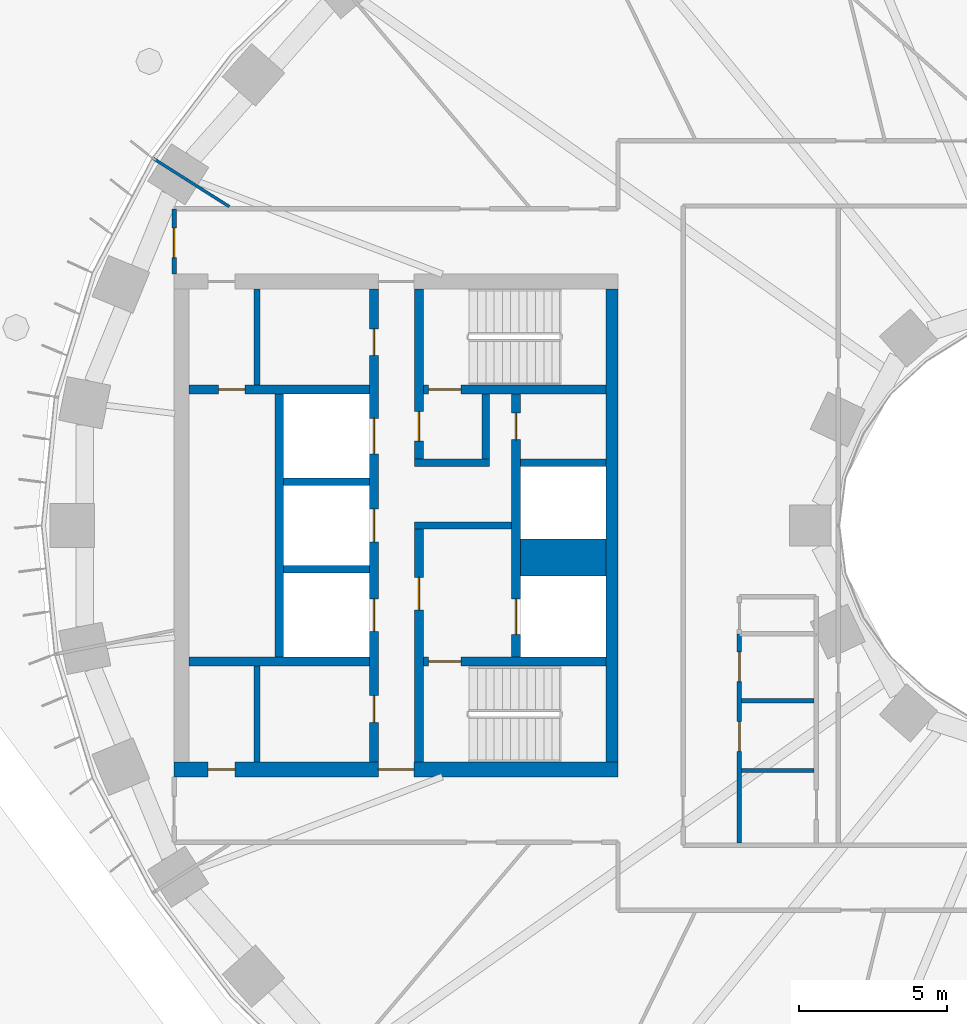
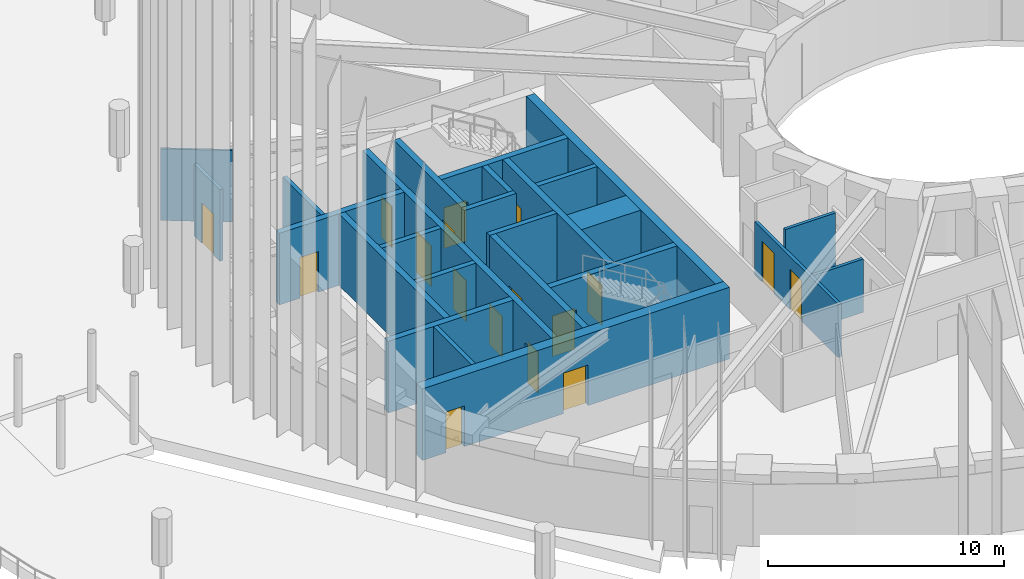
# One storey, part 12 of 30: 25 walls, 17 doors, 17 openings.
"""IFC4 building model written with IfcOpenShell, lengths in metres."""

from ifc_helpers import new_model, si_unit, direction, frame, frame_2d, origin, place, context, subcontext, project, spatial, rectangle, extrude, material, layer, layer_set, type_object, element, fill, save


model = new_model("IFC4")

# Units and contexts
model_context = context("Model", 3, precision=1e-05, world=origin(), true_north=direction((0.0, 1.0)))
body_context = subcontext(model_context, "Body", "Model", "MODEL_VIEW")
ifc_project = project(units=[si_unit("LENGTHUNIT", "METRE"), si_unit("AREAUNIT", "SQUARE_METRE"), si_unit("VOLUMEUNIT", "CUBIC_METRE"), si_unit("PLANEANGLEUNIT", "RADIAN"), si_unit("MASSUNIT", "GRAM", prefix="KILO")], contexts=[model_context])

# Site, building, storey
site_placement = place(None, origin())
site = spatial("IfcSite", under=ifc_project, at=site_placement, CompositionType="ELEMENT")
building_placement = place(site_placement, origin())
building = spatial("IfcBuilding", under=site, at=building_placement, Name="Noorbagh Ring Tower", CompositionType="ELEMENT")
storey_placement = place(building_placement, frame((0.0, 0.0, 30.5)))
storey = spatial("IfcBuildingStorey", under=building, at=storey_placement, Name="L05", CompositionType="ELEMENT", Elevation=30.5)

# Walls
ifc_material_1 = material(Name="Gypsum board on steel studs", Category="steel")
ifc_layer_1 = layer(ifc_material_1, 0.199951171875)
ifc_layer_set_1 = layer_set([ifc_layer_1], Name="Gypsum board on steel studs")
wall_type_1 = type_object("IfcWallType", Name="CORE-PARTITION-200", PredefinedType="PARTITIONING", material=ifc_layer_set_1)
for number, where, z_axis, x_axis, name in (
    (1, (-28.699951171875, 4.75, 0.0), (0.0, 0.0, 1.0), (0.0, 1.0, 0.0), "Core partition W"),
    (2, (-28.699951171875, -8.0, 0.0), (0.0, 0.0, 1.0), (0.0, 1.0, 0.0), "Core partition W"),
):
    element("IfcWall", number, at=place(storey_placement, frame(where, z_axis=z_axis, x_axis=x_axis)), inside=storey, type_object=wall_type_1, Name=name, PredefinedType="PARTITIONING", context=body_context, shape_type="SweptSolid", body=[
        extrude(rectangle(XDim=3.25, YDim=0.199951171875, at=frame_2d((1.625, 0.0))), origin(), (0.0, 0.0, 1.0), 3.699951171875),
    ])
ifc_material_2 = material(Name="Concrete C70/85", Category="concrete")
ifc_layer_2 = layer(ifc_material_2, 1.25)
ifc_layer_set_2 = layer_set([ifc_layer_2], Name="Concrete C70/85")
wall_type_2 = type_object("IfcWallType", Name="CORE-WALL-1250-C70-85-EI120", PredefinedType="SHEAR", material=ifc_layer_set_2)
wall_1_placement = place(storey_placement, frame((-16.89990234375, -1.074951171875, 0.0), z_axis=(0.0, 0.0, 1.0), x_axis=(-1.0, 0.0, 0.0)))
element("IfcWall", 3, at=wall_1_placement, inside=storey, type_object=wall_type_2, Name="Core wall W", PredefinedType="SHEAR", context=body_context, shape_type="SweptSolid", body=[
    extrude(rectangle(XDim=2.900146484375, YDim=1.25, at=frame_2d((1.4501953125, 0.0))), origin(), (0.0, 0.0, 1.0), 3.699951171875),
])
ifc_material_3 = material(Name="Concrete C70/85", Category="concrete")
ifc_layer_3 = layer(ifc_material_3, 0.25)
ifc_layer_set_3 = layer_set([ifc_layer_3], Name="Concrete C70/85")
wall_type_3 = type_object("IfcWallType", Name="CORE-WALL-250-C70-85-EI120", PredefinedType="SHEAR", material=ifc_layer_set_3)
for number, where, z_axis, x_axis, name in (
    (4, (-16.89990234375, 2.125, 0.0), (0.0, 0.0, 1.0), (-1.0, 0.0, 0.0), "Core wall W"),
    (5, (-24.89990234375, -1.47509765625, 0.0), (0.0, 0.0, 1.0), (-1.0, 0.0, 0.0), "Core wall W"),
    (6, (-24.89990234375, 1.47509765625, 0.0), (0.0, 0.0, 1.0), (-1.0, 0.0, 0.0), "Core wall W"),
):
    element("IfcWall", number, at=place(storey_placement, frame(where, z_axis=z_axis, x_axis=x_axis)), inside=storey, type_object=wall_type_3, Name=name, PredefinedType="SHEAR", context=body_context, shape_type="SweptSolid", body=[
        extrude(rectangle(XDim=2.900146484375, YDim=0.25, at=frame_2d((1.4501953125, 0.0))), origin(), (0.0, 0.0, 1.0), 3.699951171875),
    ])
ifc_material_4 = material(Name="Concrete C70/85", Category="concrete")
ifc_layer_4 = layer(ifc_material_4, 0.25)
ifc_layer_set_4 = layer_set([ifc_layer_4], Name="Concrete C70/85")
wall_type_4 = type_object("IfcWallType", Name="CORE-WALL-250-C70-85-EI240", PredefinedType="SHEAR", material=ifc_layer_set_4)
wall_2_placement = place(storey_placement, frame((-20.10009765625, 0.0, 0.0), z_axis=(0.0, 0.0, 1.0), x_axis=(-1.0, 0.0, 0.0)))
element("IfcWall", 7, at=wall_2_placement, inside=storey, type_object=wall_type_4, Name="Core wall W", PredefinedType="SHEAR", context=body_context, shape_type="SweptSolid", body=[
    extrude(rectangle(XDim=3.27978515625, YDim=0.25, at=frame_2d((1.639892578125, 0.0))), origin(), (0.0, 0.0, 1.0), 3.699951171875),
])
wall_3_placement = place(storey_placement, frame((-20.85009765625, 2.125, 0.0), z_axis=(0.0, 0.0, 1.0), x_axis=(-1.0, 0.0, 0.0)))
element("IfcWall", 8, at=wall_3_placement, inside=storey, type_object=wall_type_4, Name="Core wall W", PredefinedType="SHEAR", context=body_context, shape_type="SweptSolid", body=[
    extrude(rectangle(XDim=2.52978515625, YDim=0.25, at=frame_2d((1.264892578125, 0.0))), origin(), (0.0, 0.0, 1.0), 3.699951171875),
])
wall_4_placement = place(storey_placement, frame((-20.97509765625, 2.25, 0.0), z_axis=(0.0, 0.0, 1.0), x_axis=(0.0, 1.0, 0.0)))
element("IfcWall", 9, at=wall_4_placement, inside=storey, type_object=wall_type_4, Name="Core wall W", PredefinedType="SHEAR", context=body_context, shape_type="SweptSolid", body=[
    extrude(rectangle(XDim=2.199951171875, YDim=0.25, at=frame_2d((1.10009765625, 0.0))), origin(), (0.0, 0.0, 1.0), 3.699951171875),
])
ifc_material_5 = material(Name="Concrete C70/85", Category="concrete")
ifc_layer_5 = layer(ifc_material_5, 0.300048828125)
ifc_layer_set_5 = layer_set([ifc_layer_5], Name="Concrete C70/85")
wall_type_5 = type_object("IfcWallType", Name="CORE-WALL-300-C70-85-EI120", PredefinedType="SHEAR", material=ifc_layer_set_5)
wall_5_placement = place(storey_placement, frame((-27.949951171875, -4.449951171875, 0.0), z_axis=(0.0, 0.0, 1.0), x_axis=(0.0, 1.0, 0.0)))
element("IfcWall", 10, at=wall_5_placement, inside=storey, type_object=wall_type_5, Name="Core wall W", PredefinedType="SHEAR", context=body_context, shape_type="SweptSolid", body=[
    extrude(rectangle(XDim=8.89990234375, YDim=0.300048828125, at=frame_2d((4.449951171875, 0.0))), origin(), (0.0, 0.0, 1.0), 3.699951171875),
])

# Wall, openings, doors
wall_6_placement = place(storey_placement, frame((-19.949951171875, -4.449951171875, 0.0), z_axis=(0.0, 0.0, 1.0), x_axis=(0.0, 1.0, 0.0)))
wall_6 = element("IfcWall", 11, at=wall_6_placement, inside=storey, type_object=wall_type_5, Name="Core wall W", PredefinedType="SHEAR", context=body_context, shape_type="SweptSolid", body=[
    extrude(rectangle(XDim=8.89990234375, YDim=0.300048828125, at=frame_2d((4.449951171875, 0.0))), origin(), (0.0, 0.0, 1.0), 3.699951171875),
])
opening_1_placement = place(wall_6_placement, frame((0.77490234375, 0.0, 0.0)))
opening_1 = element("IfcOpeningElement", 12, at=opening_1_placement, cuts=wall_6, Name="Opening L05-CW01", PredefinedType="OPENING", context=body_context, shape_type="SweptSolid", body=[
    extrude(rectangle(XDim=1.199951171875, YDim=2.10009765625, at=frame_2d((0.60009765625, 1.050048828125))), frame((0.0, 0.16015625, 0.0), z_axis=(0.0, -1.0, 0.0), x_axis=(1.0, 0.0, 0.0)), (0.0, 0.0, 1.0), 0.320068359375),
])
opening_2_placement = place(wall_6_placement, frame((7.35009765625, 0.0, 0.0)))
opening_2 = element("IfcOpeningElement", 13, at=opening_2_placement, cuts=wall_6, Name="Opening L05-CW11", PredefinedType="OPENING", context=body_context, shape_type="SweptSolid", body=[
    extrude(rectangle(XDim=0.89990234375, YDim=2.10009765625, at=frame_2d((0.449951171875, 1.050048828125))), frame((0.0, 0.16015625, 0.0), z_axis=(0.0, -1.0, 0.0), x_axis=(1.0, 0.0, 0.0)), (0.0, 0.0, 1.0), 0.320068359375),
])
ifc_material_6 = material(Name="Steel door leaf", Category="steel")
door_type_1 = type_object("IfcDoorType", Name="CORE-DOOR-DROOM", OperationType="SINGLE_SWING_LEFT", PredefinedType="DOOR", material=ifc_material_6)
door_1_placement = place(opening_2_placement, origin())
door_1 = element("IfcDoor", 14, at=door_1_placement, inside=storey, type_object=door_type_1, Name="Core room door L05-CW11", OperationType="SINGLE_SWING_LEFT", OverallHeight=2.10009765625, OverallWidth=0.89990234375, PredefinedType="DOOR", context=body_context, shape_type="SweptSolid", body=[
    extrude(rectangle(XDim=0.89990234375, YDim=2.10009765625, at=frame_2d((0.449951171875, 1.050048828125))), frame((0.0, 0.02490234375, 0.0), z_axis=(0.0, -1.0, 0.0), x_axis=(1.0, 0.0, 0.0)), (0.0, 0.0, 1.0), 0.050048828125),
])
fill(opening_2, door_1)
ifc_material_7 = material(Name="Steel door leaf", Category="steel")
door_type_2 = type_object("IfcDoorType", Name="CORE-DOOR-LDW", OperationType="DOUBLE_DOOR_SLIDING", PredefinedType="DOOR", material=ifc_material_7)
door_2_placement = place(opening_1_placement, origin())
door_2 = element("IfcDoor", 15, at=door_2_placement, inside=storey, type_object=door_type_2, Name="Landing door FF1 L05-CW01", OperationType="DOUBLE_DOOR_SLIDING", OverallHeight=2.10009765625, OverallWidth=1.199951171875, PredefinedType="DOOR", context=body_context, shape_type="SweptSolid", body=[
    extrude(rectangle(XDim=1.199951171875, YDim=2.10009765625, at=frame_2d((0.60009765625, 1.050048828125))), frame((0.0, 0.02490234375, 0.0), z_axis=(0.0, -1.0, 0.0), x_axis=(1.0, 0.0, 0.0)), (0.0, 0.0, 1.0), 0.050048828125),
])
fill(opening_1, door_2)

wall_7_placement = place(storey_placement, frame((-24.75, -8.0, 0.0), z_axis=(0.0, 0.0, 1.0), x_axis=(0.0, 1.0, 0.0)))
wall_7 = element("IfcWall", 16, at=wall_7_placement, inside=storey, type_object=wall_type_5, Name="Core wall W", PredefinedType="SHEAR", context=body_context, shape_type="SweptSolid", body=[
    extrude(rectangle(XDim=16.0, YDim=0.300048828125, at=frame_2d((8.0, 0.0))), origin(), (0.0, 0.0, 1.0), 3.699951171875),
])
opening_3_placement = place(wall_7_placement, frame((4.425048828125, 0.0, 0.0)))
opening_3 = element("IfcOpeningElement", 17, at=opening_3_placement, cuts=wall_7, Name="Opening L05-CW02", PredefinedType="OPENING", context=body_context, shape_type="SweptSolid", body=[
    extrude(rectangle(XDim=1.10009765625, YDim=2.10009765625, at=frame_2d((0.550048828125, 1.050048828125))), frame((0.0, 0.16015625, 0.0), z_axis=(0.0, -1.0, 0.0), x_axis=(1.0, 0.0, 0.0)), (0.0, 0.0, 1.0), 0.320068359375),
])
opening_4_placement = place(wall_7_placement, frame((7.449951171875, 0.0, 0.0)))
opening_4 = element("IfcOpeningElement", 18, at=opening_4_placement, cuts=wall_7, Name="Opening L05-CW03", PredefinedType="OPENING", context=body_context, shape_type="SweptSolid", body=[
    extrude(rectangle(XDim=1.10009765625, YDim=2.10009765625, at=frame_2d((0.550048828125, 1.050048828125))), frame((0.0, 0.16015625, 0.0), z_axis=(0.0, -1.0, 0.0), x_axis=(1.0, 0.0, 0.0)), (0.0, 0.0, 1.0), 0.320068359375),
])
opening_5_placement = place(wall_7_placement, frame((10.425048828125, 0.0, 0.0)))
opening_5 = element("IfcOpeningElement", 19, at=opening_5_placement, cuts=wall_7, Name="Opening L05-CW04", PredefinedType="OPENING", context=body_context, shape_type="SweptSolid", body=[
    extrude(rectangle(XDim=1.199951171875, YDim=2.10009765625, at=frame_2d((0.60009765625, 1.050048828125))), frame((0.0, 0.16015625, 0.0), z_axis=(0.0, -1.0, 0.0), x_axis=(1.0, 0.0, 0.0)), (0.0, 0.0, 1.0), 0.320068359375),
])
opening_6_placement = place(wall_7_placement, frame((13.75, 0.0, 0.0)))
opening_6 = element("IfcOpeningElement", 20, at=opening_6_placement, cuts=wall_7, Name="Opening L05-CW12", PredefinedType="OPENING", context=body_context, shape_type="SweptSolid", body=[
    extrude(rectangle(XDim=0.89990234375, YDim=2.10009765625, at=frame_2d((0.449951171875, 1.050048828125))), frame((0.0, 0.16015625, 0.0), z_axis=(0.0, -1.0, 0.0), x_axis=(1.0, 0.0, 0.0)), (0.0, 0.0, 1.0), 0.320068359375),
])
opening_7_placement = place(wall_7_placement, frame((1.35009765625, 0.0, 0.0)))
opening_7 = element("IfcOpeningElement", 21, at=opening_7_placement, cuts=wall_7, Name="Opening L05-CW14", PredefinedType="OPENING", context=body_context, shape_type="SweptSolid", body=[
    extrude(rectangle(XDim=0.89990234375, YDim=2.10009765625, at=frame_2d((0.449951171875, 1.050048828125))), frame((0.0, 0.16015625, 0.0), z_axis=(0.0, -1.0, 0.0), x_axis=(1.0, 0.0, 0.0)), (0.0, 0.0, 1.0), 0.320068359375),
])
door_3_placement = place(opening_6_placement, origin())
door_3 = element("IfcDoor", 22, at=door_3_placement, inside=storey, type_object=door_type_1, Name="Core room door L05-CW12", OperationType="SINGLE_SWING_RIGHT", OverallHeight=2.10009765625, OverallWidth=0.89990234375, PredefinedType="DOOR", context=body_context, shape_type="SweptSolid", body=[
    extrude(rectangle(XDim=0.89990234375, YDim=2.10009765625, at=frame_2d((0.449951171875, 1.050048828125))), frame((0.0, 0.02490234375, 0.0), z_axis=(0.0, -1.0, 0.0), x_axis=(1.0, 0.0, 0.0)), (0.0, 0.0, 1.0), 0.050048828125),
])
fill(opening_6, door_3)
door_4_placement = place(opening_7_placement, origin())
door_4 = element("IfcDoor", 23, at=door_4_placement, inside=storey, type_object=door_type_1, Name="Core room door L05-CW14", OperationType="SINGLE_SWING_LEFT", OverallHeight=2.10009765625, OverallWidth=0.89990234375, PredefinedType="DOOR", context=body_context, shape_type="SweptSolid", body=[
    extrude(rectangle(XDim=0.89990234375, YDim=2.10009765625, at=frame_2d((0.449951171875, 1.050048828125))), frame((0.0, 0.02490234375, 0.0), z_axis=(0.0, -1.0, 0.0), x_axis=(1.0, 0.0, 0.0)), (0.0, 0.0, 1.0), 0.050048828125),
])
fill(opening_7, door_4)
ifc_material_8 = material(Name="Steel door leaf", Category="steel")
door_type_3 = type_object("IfcDoorType", Name="CORE-DOOR-LD", OperationType="DOUBLE_DOOR_SLIDING", PredefinedType="DOOR", material=ifc_material_8)
door_5_placement = place(opening_3_placement, origin())
door_5 = element("IfcDoor", 24, at=door_5_placement, inside=storey, type_object=door_type_3, Name="Landing door LR1 L05-CW02", OperationType="DOUBLE_DOOR_SLIDING", OverallHeight=2.10009765625, OverallWidth=1.10009765625, PredefinedType="DOOR", context=body_context, shape_type="SweptSolid", body=[
    extrude(rectangle(XDim=1.10009765625, YDim=2.10009765625, at=frame_2d((0.550048828125, 1.050048828125))), frame((0.0, 0.02490234375, 0.0), z_axis=(0.0, -1.0, 0.0), x_axis=(1.0, 0.0, 0.0)), (0.0, 0.0, 1.0), 0.050048828125),
])
fill(opening_3, door_5)
door_6_placement = place(opening_4_placement, origin())
door_6 = element("IfcDoor", 25, at=door_6_placement, inside=storey, type_object=door_type_3, Name="Landing door LR2 L05-CW03", OperationType="DOUBLE_DOOR_SLIDING", OverallHeight=2.10009765625, OverallWidth=1.10009765625, PredefinedType="DOOR", context=body_context, shape_type="SweptSolid", body=[
    extrude(rectangle(XDim=1.10009765625, YDim=2.10009765625, at=frame_2d((0.550048828125, 1.050048828125))), frame((0.0, 0.02490234375, 0.0), z_axis=(0.0, -1.0, 0.0), x_axis=(1.0, 0.0, 0.0)), (0.0, 0.0, 1.0), 0.050048828125),
])
fill(opening_4, door_6)
door_7_placement = place(opening_5_placement, origin())
door_7 = element("IfcDoor", 26, at=door_7_placement, inside=storey, type_object=door_type_2, Name="Landing door SV1 L05-CW04", OperationType="DOUBLE_DOOR_SLIDING", OverallHeight=2.10009765625, OverallWidth=1.199951171875, PredefinedType="DOOR", context=body_context, shape_type="SweptSolid", body=[
    extrude(rectangle(XDim=1.199951171875, YDim=2.10009765625, at=frame_2d((0.60009765625, 1.050048828125))), frame((0.0, 0.02490234375, 0.0), z_axis=(0.0, -1.0, 0.0), x_axis=(1.0, 0.0, 0.0)), (0.0, 0.0, 1.0), 0.050048828125),
])
fill(opening_5, door_7)

# Wall, opening, door
ifc_material_9 = material(Name="Concrete C70/85", Category="concrete")
ifc_layer_6 = layer(ifc_material_9, 0.300048828125)
ifc_layer_set_6 = layer_set([ifc_layer_6], Name="Concrete C70/85")
wall_type_6 = type_object("IfcWallType", Name="CORE-WALL-300-C70-85-EI240", PredefinedType="SHEAR", material=ifc_layer_set_6)
wall_8_placement = place(storey_placement, frame((-24.89990234375, 4.60009765625, 0.0), z_axis=(0.0, 0.0, 1.0), x_axis=(-1.0, 0.0, 0.0)))
wall_8 = element("IfcWall", 27, at=wall_8_placement, inside=storey, type_object=wall_type_6, Name="Core wall W", PredefinedType="SHEAR", context=body_context, shape_type="SweptSolid", body=[
    extrude(rectangle(XDim=6.10009765625, YDim=0.300048828125, at=frame_2d((3.050048828125, 0.0))), origin(), (0.0, 0.0, 1.0), 3.699951171875),
])
opening_8_placement = place(wall_8_placement, frame((4.199951171875, 0.0, 0.0)))
opening_8 = element("IfcOpeningElement", 28, at=opening_8_placement, cuts=wall_8, Name="Opening L05-CW16", PredefinedType="OPENING", context=body_context, shape_type="SweptSolid", body=[
    extrude(rectangle(XDim=0.89990234375, YDim=2.10009765625, at=frame_2d((0.449951171875, 1.050048828125))), frame((0.0, 0.16015625, 0.0), z_axis=(0.0, -1.0, 0.0), x_axis=(1.0, 0.0, 0.0)), (0.0, 0.0, 1.0), 0.320068359375),
])
door_8_placement = place(opening_8_placement, origin())
door_8 = element("IfcDoor", 29, at=door_8_placement, inside=storey, type_object=door_type_1, Name="Core room door L05-CW16", OperationType="SINGLE_SWING_LEFT", OverallHeight=2.10009765625, OverallWidth=0.89990234375, PredefinedType="DOOR", context=body_context, shape_type="SweptSolid", body=[
    extrude(rectangle(XDim=0.89990234375, YDim=2.10009765625, at=frame_2d((0.449951171875, 1.050048828125))), frame((0.0, 0.02490234375, 0.0), z_axis=(0.0, -1.0, 0.0), x_axis=(1.0, 0.0, 0.0)), (0.0, 0.0, 1.0), 0.050048828125),
])
fill(opening_8, door_8)

# Wall
wall_9_placement = place(storey_placement, frame((-24.89990234375, -4.60009765625, 0.0), z_axis=(0.0, 0.0, 1.0), x_axis=(-1.0, 0.0, 0.0)))
element("IfcWall", 30, at=wall_9_placement, inside=storey, type_object=wall_type_6, Name="Core wall W", PredefinedType="SHEAR", context=body_context, shape_type="SweptSolid", body=[
    extrude(rectangle(XDim=6.10009765625, YDim=0.300048828125, at=frame_2d((3.050048828125, 0.0))), origin(), (0.0, 0.0, 1.0), 3.699951171875),
])

# Wall, opening, door
wall_10_placement = place(storey_placement, frame((-23.22998046875, 2.25, 0.0), z_axis=(0.0, 0.0, 1.0), x_axis=(0.0, 1.0, 0.0)))
wall_10 = element("IfcWall", 31, at=wall_10_placement, inside=storey, type_object=wall_type_6, Name="Core wall W", PredefinedType="SHEAR", context=body_context, shape_type="SweptSolid", body=[
    extrude(rectangle(XDim=5.75, YDim=0.300048828125, at=frame_2d((2.875, 0.0))), origin(), (0.0, 0.0, 1.0), 3.699951171875),
])
opening_9_placement = place(wall_10_placement, frame((0.60009765625, 0.0, 0.0)))
opening_9 = element("IfcOpeningElement", 32, at=opening_9_placement, cuts=wall_10, Name="Opening L05-CW08", PredefinedType="OPENING", context=body_context, shape_type="SweptSolid", body=[
    extrude(rectangle(XDim=1.0, YDim=2.10009765625, at=frame_2d((0.5, 1.050048828125))), frame((0.0, 0.16015625, 0.0), z_axis=(0.0, -1.0, 0.0), x_axis=(1.0, 0.0, 0.0)), (0.0, 0.0, 1.0), 0.320068359375),
])
ifc_material_10 = material(Name="Steel door leaf", Category="steel")
door_type_4 = type_object("IfcDoorType", Name="CORE-DOOR-DVEST", OperationType="SINGLE_SWING_LEFT", PredefinedType="DOOR", material=ifc_material_10)
door_9_placement = place(opening_9_placement, origin())
door_9 = element("IfcDoor", 33, at=door_9_placement, inside=storey, type_object=door_type_4, Name="Stair vestibule door L05-CW08", OperationType="SINGLE_SWING_LEFT", OverallHeight=2.10009765625, OverallWidth=1.0, PredefinedType="DOOR", context=body_context, shape_type="SweptSolid", body=[
    extrude(rectangle(XDim=1.0, YDim=2.10009765625, at=frame_2d((0.5, 1.050048828125))), frame((0.0, 0.02490234375, 0.0), z_axis=(0.0, -1.0, 0.0), x_axis=(1.0, 0.0, 0.0)), (0.0, 0.0, 1.0), 0.050048828125),
])
fill(opening_9, door_9)

wall_11_placement = place(storey_placement, frame((-23.22998046875, -8.0, 0.0), z_axis=(0.0, 0.0, 1.0), x_axis=(0.0, 1.0, 0.0)))
wall_11 = element("IfcWall", 34, at=wall_11_placement, inside=storey, type_object=wall_type_6, Name="Core wall W", PredefinedType="SHEAR", context=body_context, shape_type="SweptSolid", body=[
    extrude(rectangle(XDim=7.875, YDim=0.300048828125, at=frame_2d((3.9375, 0.0))), origin(), (0.0, 0.0, 1.0), 3.699951171875),
])
opening_10_placement = place(wall_11_placement, frame((5.14990234375, 0.0, 0.0)))
opening_10 = element("IfcOpeningElement", 35, at=opening_10_placement, cuts=wall_11, Name="Opening L05-CW07", PredefinedType="OPENING", context=body_context, shape_type="SweptSolid", body=[
    extrude(rectangle(XDim=1.10009765625, YDim=2.10009765625, at=frame_2d((0.550048828125, 1.050048828125))), frame((0.0, 0.16015625, 0.0), z_axis=(0.0, -1.0, 0.0), x_axis=(1.0, 0.0, 0.0)), (0.0, 0.0, 1.0), 0.320068359375),
])
ifc_material_11 = material(Name="Steel door leaf", Category="steel")
door_type_5 = type_object("IfcDoorType", Name="CORE-DOOR-DFF", OperationType="SINGLE_SWING_LEFT", PredefinedType="DOOR", material=ifc_material_11)
door_10_placement = place(opening_10_placement, origin())
door_10 = element("IfcDoor", 36, at=door_10_placement, inside=storey, type_object=door_type_5, Name="Firefighting lobby door L05-CW07", OperationType="SINGLE_SWING_LEFT", OverallHeight=2.10009765625, OverallWidth=1.10009765625, PredefinedType="DOOR", context=body_context, shape_type="SweptSolid", body=[
    extrude(rectangle(XDim=1.10009765625, YDim=2.10009765625, at=frame_2d((0.550048828125, 1.050048828125))), frame((0.0, 0.02490234375, 0.0), z_axis=(0.0, -1.0, 0.0), x_axis=(1.0, 0.0, 0.0)), (0.0, 0.0, 1.0), 0.050048828125),
])
fill(opening_10, door_10)

wall_12_placement = place(storey_placement, frame((-16.89990234375, 4.60009765625, 0.0), z_axis=(0.0, 0.0, 1.0), x_axis=(-1.0, 0.0, 0.0)))
wall_12 = element("IfcWall", 37, at=wall_12_placement, inside=storey, type_object=wall_type_6, Name="Core wall W", PredefinedType="SHEAR", context=body_context, shape_type="SweptSolid", body=[
    extrude(rectangle(XDim=6.18017578125, YDim=0.300048828125, at=frame_2d((3.090087890625, 0.0))), origin(), (0.0, 0.0, 1.0), 3.699951171875),
])
opening_11_placement = place(wall_12_placement, frame((4.89990234375, 0.0, 0.0)))
opening_11 = element("IfcOpeningElement", 38, at=opening_11_placement, cuts=wall_12, Name="Opening L05-CW05", PredefinedType="OPENING", context=body_context, shape_type="SweptSolid", body=[
    extrude(rectangle(XDim=1.10009765625, YDim=2.10009765625, at=frame_2d((0.550048828125, 1.050048828125))), frame((0.0, 0.16015625, 0.0), z_axis=(0.0, -1.0, 0.0), x_axis=(1.0, 0.0, 0.0)), (0.0, 0.0, 1.0), 0.320068359375),
])
ifc_material_12 = material(Name="Steel door leaf", Category="steel")
door_type_6 = type_object("IfcDoorType", Name="CORE-DOOR-DSTAIR", OperationType="SINGLE_SWING_LEFT", PredefinedType="DOOR", material=ifc_material_12)
door_11_placement = place(opening_11_placement, origin())
door_11 = element("IfcDoor", 39, at=door_11_placement, inside=storey, type_object=door_type_6, Name="Stair door ST1 L05-CW05", OperationType="SINGLE_SWING_RIGHT", OverallHeight=2.10009765625, OverallWidth=1.10009765625, PredefinedType="DOOR", context=body_context, shape_type="SweptSolid", body=[
    extrude(rectangle(XDim=1.10009765625, YDim=2.10009765625, at=frame_2d((0.550048828125, 1.050048828125))), frame((0.0, 0.02490234375, 0.0), z_axis=(0.0, -1.0, 0.0), x_axis=(1.0, 0.0, 0.0)), (0.0, 0.0, 1.0), 0.050048828125),
])
fill(opening_11, door_11)

wall_13_placement = place(storey_placement, frame((-16.89990234375, -4.60009765625, 0.0), z_axis=(0.0, 0.0, 1.0), x_axis=(-1.0, 0.0, 0.0)))
wall_13 = element("IfcWall", 40, at=wall_13_placement, inside=storey, type_object=wall_type_6, Name="Core wall W", PredefinedType="SHEAR", context=body_context, shape_type="SweptSolid", body=[
    extrude(rectangle(XDim=6.18017578125, YDim=0.300048828125, at=frame_2d((3.090087890625, 0.0))), origin(), (0.0, 0.0, 1.0), 3.699951171875),
])
opening_12_placement = place(wall_13_placement, frame((4.89990234375, 0.0, 0.0)))
opening_12 = element("IfcOpeningElement", 41, at=opening_12_placement, cuts=wall_13, Name="Opening L05-CW06", PredefinedType="OPENING", context=body_context, shape_type="SweptSolid", body=[
    extrude(rectangle(XDim=1.10009765625, YDim=2.10009765625, at=frame_2d((0.550048828125, 1.050048828125))), frame((0.0, 0.16015625, 0.0), z_axis=(0.0, -1.0, 0.0), x_axis=(1.0, 0.0, 0.0)), (0.0, 0.0, 1.0), 0.320068359375),
])
door_12_placement = place(opening_12_placement, origin())
door_12 = element("IfcDoor", 42, at=door_12_placement, inside=storey, type_object=door_type_6, Name="Stair door ST2 L05-CW06", OperationType="SINGLE_SWING_LEFT", OverallHeight=2.10009765625, OverallWidth=1.10009765625, PredefinedType="DOOR", context=body_context, shape_type="SweptSolid", body=[
    extrude(rectangle(XDim=1.10009765625, YDim=2.10009765625, at=frame_2d((0.550048828125, 1.050048828125))), frame((0.0, 0.02490234375, 0.0), z_axis=(0.0, -1.0, 0.0), x_axis=(1.0, 0.0, 0.0)), (0.0, 0.0, 1.0), 0.050048828125),
])
fill(opening_12, door_12)

# Wall
ifc_material_13 = material(Name="Concrete C70/85", Category="concrete")
ifc_layer_7 = layer(ifc_material_13, 0.39990234375)
ifc_layer_set_7 = layer_set([ifc_layer_7], Name="Concrete C70/85")
wall_type_7 = type_object("IfcWallType", Name="CORE-WALL-400-C70-85-EI240", PredefinedType="SHEAR", material=ifc_layer_set_7)
wall_14_placement = place(storey_placement, frame((-16.699951171875, -8.0, 0.0), z_axis=(0.0, 0.0, 1.0), x_axis=(0.0, 1.0, 0.0)))
element("IfcWall", 43, at=wall_14_placement, inside=storey, type_object=wall_type_7, Name="Core wall W", PredefinedType="SHEAR", context=body_context, shape_type="SweptSolid", body=[
    extrude(rectangle(XDim=16.0, YDim=0.39990234375, at=frame_2d((8.0, 0.0))), origin(), (0.0, 0.0, 1.0), 3.699951171875),
])

# Wall, openings, doors
ifc_material_14 = material(Name="Concrete C70/85", Category="concrete")
ifc_layer_8 = layer(ifc_material_14, 0.5)
ifc_layer_set_8 = layer_set([ifc_layer_8], Name="Concrete C70/85")
wall_type_8 = type_object("IfcWallType", Name="CORE-WALL-500-C70-85-EI240", PredefinedType="SHEAR", material=ifc_layer_set_8)
wall_15_placement = place(storey_placement, frame((-16.5, -8.25, 0.0), z_axis=(0.0, 0.0, 1.0), x_axis=(-1.0, 0.0, 0.0)))
wall_15 = element("IfcWall", 44, at=wall_15_placement, inside=storey, type_object=wall_type_8, Name="Core wall W", PredefinedType="SHEAR", context=body_context, shape_type="SweptSolid", body=[
    extrude(rectangle(XDim=15.0, YDim=0.5, at=frame_2d((7.5, 0.0))), origin(), (0.0, 0.0, 1.0), 3.699951171875),
])
opening_13_placement = place(wall_15_placement, frame((6.89990234375, 0.0, 0.0)))
opening_13 = element("IfcOpeningElement", 45, at=opening_13_placement, cuts=wall_15, Name="Opening L05-CW10", PredefinedType="OPENING", context=body_context, shape_type="SweptSolid", body=[
    extrude(rectangle(XDim=1.199951171875, YDim=2.10009765625, at=frame_2d((0.60009765625, 1.050048828125))), frame((0.0, 0.260009765625, 0.0), z_axis=(0.0, -1.0, 0.0), x_axis=(1.0, 0.0, 0.0)), (0.0, 0.0, 1.0), 0.52001953125),
])
opening_14_placement = place(wall_15_placement, frame((12.949951171875, 0.0, 0.0)))
opening_14 = element("IfcOpeningElement", 46, at=opening_14_placement, cuts=wall_15, Name="Opening L05-CW15", PredefinedType="OPENING", context=body_context, shape_type="SweptSolid", body=[
    extrude(rectangle(XDim=0.89990234375, YDim=2.10009765625, at=frame_2d((0.449951171875, 1.050048828125))), frame((0.0, 0.260009765625, 0.0), z_axis=(0.0, -1.0, 0.0), x_axis=(1.0, 0.0, 0.0)), (0.0, 0.0, 1.0), 0.52001953125),
])
door_13_placement = place(opening_14_placement, origin())
door_13 = element("IfcDoor", 47, at=door_13_placement, inside=storey, type_object=door_type_1, Name="Core room door L05-CW15", OperationType="SINGLE_SWING_LEFT", OverallHeight=2.10009765625, OverallWidth=0.89990234375, PredefinedType="DOOR", context=body_context, shape_type="SweptSolid", body=[
    extrude(rectangle(XDim=0.89990234375, YDim=2.10009765625, at=frame_2d((0.449951171875, 1.050048828125))), frame((0.0, 0.02490234375, 0.0), z_axis=(0.0, -1.0, 0.0), x_axis=(1.0, 0.0, 0.0)), (0.0, 0.0, 1.0), 0.050048828125),
])
fill(opening_14, door_13)
ifc_material_15 = material(Name="Steel door leaf", Category="steel")
door_type_7 = type_object("IfcDoorType", Name="CORE-DOOR-PORT", OperationType="DOUBLE_DOOR_DOUBLE_SWING", PredefinedType="DOOR", material=ifc_material_15)
door_14_placement = place(opening_13_placement, origin())
door_14 = element("IfcDoor", 48, at=door_14_placement, inside=storey, type_object=door_type_7, Name="Core entrance door L05-CW10", OperationType="DOUBLE_DOOR_DOUBLE_SWING", OverallHeight=2.10009765625, OverallWidth=1.199951171875, PredefinedType="DOOR", context=body_context, shape_type="SweptSolid", body=[
    extrude(rectangle(XDim=1.199951171875, YDim=2.10009765625, at=frame_2d((0.60009765625, 1.050048828125))), frame((0.0, 0.02490234375, 0.0), z_axis=(0.0, -1.0, 0.0), x_axis=(1.0, 0.0, 0.0)), (0.0, 0.0, 1.0), 0.050048828125),
])
fill(opening_13, door_14)

# Wall, opening, door
ifc_material_16 = material(Name="Gypsum board on steel studs", Category="steel")
ifc_layer_9 = layer(ifc_material_16, 0.14990234375)
ifc_layer_set_9 = layer_set([ifc_layer_9], Name="Gypsum board on steel studs")
wall_type_9 = type_object("IfcWallType", Name="CORRIDOR PARTITION 150 EI 30", PredefinedType="PARTITIONING", material=ifc_layer_set_9)
wall_16_placement = place(storey_placement, frame((-31.5, 8.5, 0.0), z_axis=(0.0, 0.0, 1.0), x_axis=(0.0, 1.0, 0.0)))
wall_16 = element("IfcWall", 49, at=wall_16_placement, inside=storey, type_object=wall_type_9, Name="L05/wall/P06", PredefinedType="PARTITIONING", context=body_context, shape_type="SweptSolid", body=[
    extrude(rectangle(XDim=2.199951171875, YDim=0.14990234375, at=frame_2d((1.10009765625, 0.0))), origin(), (0.0, 0.0, 1.0), 3.699951171875),
])
opening_15_placement = place(wall_16_placement, frame((0.550048828125, 0.0, 0.0)))
opening_15 = element("IfcOpeningElement", 50, at=opening_15_placement, cuts=wall_16, Name="Opening D1", PredefinedType="OPENING", context=body_context, shape_type="SweptSolid", body=[
    extrude(rectangle(XDim=1.0, YDim=2.10009765625, at=frame_2d((0.5, 1.050048828125))), frame((0.0, 0.0849609375, 0.0), z_axis=(0.0, -1.0, 0.0), x_axis=(1.0, 0.0, 0.0)), (0.0, 0.0, 1.0), 0.169921875),
])
ifc_material_17 = material(Name="Timber, painted", Category="wood")
door_type_8 = type_object("IfcDoorType", Name="DOOR 1000 X 2100 FD30", OperationType="SINGLE_SWING_LEFT", PredefinedType="DOOR", material=ifc_material_17)
door_15_placement = place(opening_15_placement, origin())
door_15 = element("IfcDoor", 51, at=door_15_placement, inside=storey, type_object=door_type_8, Name="L05-D07", OperationType="SINGLE_SWING_LEFT", OverallHeight=2.10009765625, OverallWidth=1.0, PredefinedType="DOOR", context=body_context, shape_type="SweptSolid", body=[
    extrude(rectangle(XDim=1.0, YDim=2.10009765625, at=frame_2d((0.5, 1.050048828125))), frame((0.0, 0.02490234375, 0.0), z_axis=(0.0, -1.0, 0.0), x_axis=(1.0, 0.0, 0.0)), (0.0, 0.0, 1.0), 0.050048828125),
])
fill(opening_15, door_15)

# Wall, openings, doors
wall_17_placement = place(storey_placement, frame((-12.39990234375, -10.72509765625, 0.0), z_axis=(0.0, 0.0, 1.0), x_axis=(0.0, 1.0, 0.0)))
wall_17 = element("IfcWall", 52, at=wall_17_placement, inside=storey, type_object=wall_type_9, Name="L05/wall/P19", PredefinedType="PARTITIONING", context=body_context, shape_type="SweptSolid", body=[
    extrude(rectangle(XDim=7.065185546875, YDim=0.14990234375, at=frame_2d((3.53271484375, 0.0))), origin(), (0.0, 0.0, 1.0), 2.75),
])
opening_16_placement = place(wall_17_placement, frame((3.094970703125, 0.0, 0.0)))
opening_16 = element("IfcOpeningElement", 53, at=opening_16_placement, cuts=wall_17, Name="Opening D3", PredefinedType="OPENING", context=body_context, shape_type="SweptSolid", body=[
    extrude(rectangle(XDim=1.0, YDim=2.10009765625, at=frame_2d((0.5, 1.050048828125))), frame((0.0, 0.0849609375, 0.0), z_axis=(0.0, -1.0, 0.0), x_axis=(1.0, 0.0, 0.0)), (0.0, 0.0, 1.0), 0.169921875),
])
opening_17_placement = place(wall_17_placement, frame((5.447021484375, 0.0, 0.0)))
opening_17 = element("IfcOpeningElement", 54, at=opening_17_placement, cuts=wall_17, Name="Opening D3", PredefinedType="OPENING", context=body_context, shape_type="SweptSolid", body=[
    extrude(rectangle(XDim=1.0, YDim=2.10009765625, at=frame_2d((0.5, 1.050048828125))), frame((0.0, 0.0849609375, 0.0), z_axis=(0.0, -1.0, 0.0), x_axis=(1.0, 0.0, 0.0)), (0.0, 0.0, 1.0), 0.169921875),
])
ifc_material_18 = material(Name="Timber, painted", Category="wood")
door_type_9 = type_object("IfcDoorType", Name="DOOR 1000 X 2100 WC", OperationType="SINGLE_SWING_LEFT", PredefinedType="DOOR", material=ifc_material_18)
door_16_placement = place(opening_16_placement, origin())
door_16 = element("IfcDoor", 55, at=door_16_placement, inside=storey, type_object=door_type_9, Name="L05-D03", OperationType="SINGLE_SWING_LEFT", OverallHeight=2.10009765625, OverallWidth=1.0, PredefinedType="DOOR", context=body_context, shape_type="SweptSolid", body=[
    extrude(rectangle(XDim=1.0, YDim=2.10009765625, at=frame_2d((0.5, 1.050048828125))), frame((0.0, 0.02490234375, 0.0), z_axis=(0.0, -1.0, 0.0), x_axis=(1.0, 0.0, 0.0)), (0.0, 0.0, 1.0), 0.050048828125),
])
fill(opening_16, door_16)
door_17_placement = place(opening_17_placement, origin())
door_17 = element("IfcDoor", 56, at=door_17_placement, inside=storey, type_object=door_type_9, Name="L05-D04", OperationType="SINGLE_SWING_RIGHT", OverallHeight=2.10009765625, OverallWidth=1.0, PredefinedType="DOOR", context=body_context, shape_type="SweptSolid", body=[
    extrude(rectangle(XDim=1.0, YDim=2.10009765625, at=frame_2d((0.5, 1.050048828125))), frame((0.0, 0.02490234375, 0.0), z_axis=(0.0, -1.0, 0.0), x_axis=(1.0, 0.0, 0.0)), (0.0, 0.0, 1.0), 0.050048828125),
])
fill(opening_17, door_17)

# Walls
wall_18_placement = place(storey_placement, frame((-12.324951171875, -8.280029296875, 0.0), z_axis=(0.0, 0.0, 1.0), x_axis=(1.0, 0.0, 0.0)))
element("IfcWall", 57, at=wall_18_placement, inside=storey, type_object=wall_type_9, Name="L05/wall/P20", PredefinedType="PARTITIONING", context=body_context, shape_type="SweptSolid", body=[
    extrude(rectangle(XDim=2.449951171875, YDim=0.14990234375, at=frame_2d((1.22509765625, 0.0))), origin(), (0.0, 0.0, 1.0), 2.75),
])
wall_19_placement = place(storey_placement, frame((-12.324951171875, -5.927978515625, 0.0), z_axis=(0.0, 0.0, 1.0), x_axis=(1.0, 0.0, 0.0)))
element("IfcWall", 58, at=wall_19_placement, inside=storey, type_object=wall_type_9, Name="L05/wall/P21", PredefinedType="PARTITIONING", context=body_context, shape_type="SweptSolid", body=[
    extrude(rectangle(XDim=2.449951171875, YDim=0.14990234375, at=frame_2d((1.22509765625, 0.0))), origin(), (0.0, 0.0, 1.0), 3.699951171875),
])
ifc_material_19 = material(Name="Gypsum board on steel studs", Category="steel")
ifc_layer_10 = layer(ifc_material_19, 0.10009765625)
ifc_layer_set_10 = layer_set([ifc_layer_10], Name="Gypsum board on steel studs")
wall_type_10 = type_object("IfcWallType", Name="PARTITION 100 GYPSUM", PredefinedType="PARTITIONING", material=ifc_layer_set_10)
wall_20_placement = place(storey_placement, frame((-32.2119140625, 12.407958984375, 0.0), z_axis=(0.0, 0.0, 1.0), x_axis=(0.844810627195, -0.535065420467, 0.0)))
element("IfcWall", 59, at=wall_20_placement, inside=storey, type_object=wall_type_10, Name="L05/wall/P03", PredefinedType="PARTITIONING", context=body_context, shape_type="SweptSolid", body=[
    extrude(rectangle(XDim=3.0478515625, YDim=0.10009765625, at=frame_2d((1.52392578125, 0.0))), origin(), (0.0, 0.0, 1.0), 3.699951171875),
])

save(model, "model.ifc")
